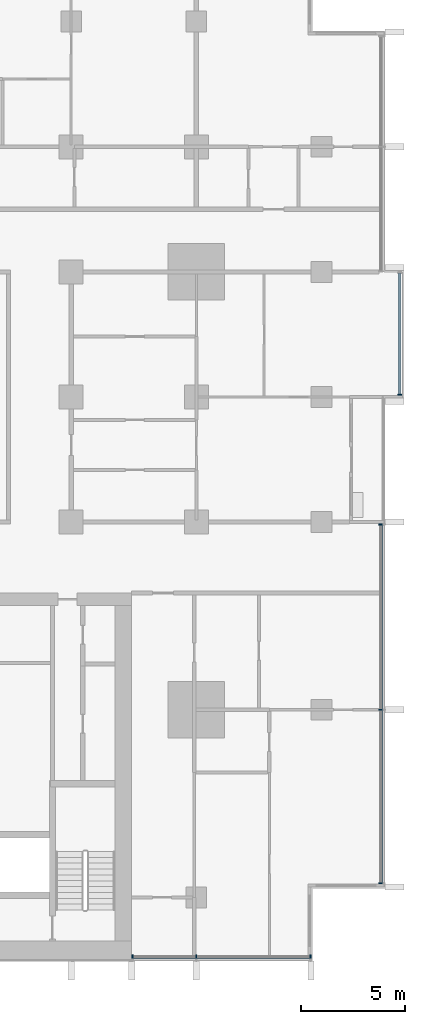
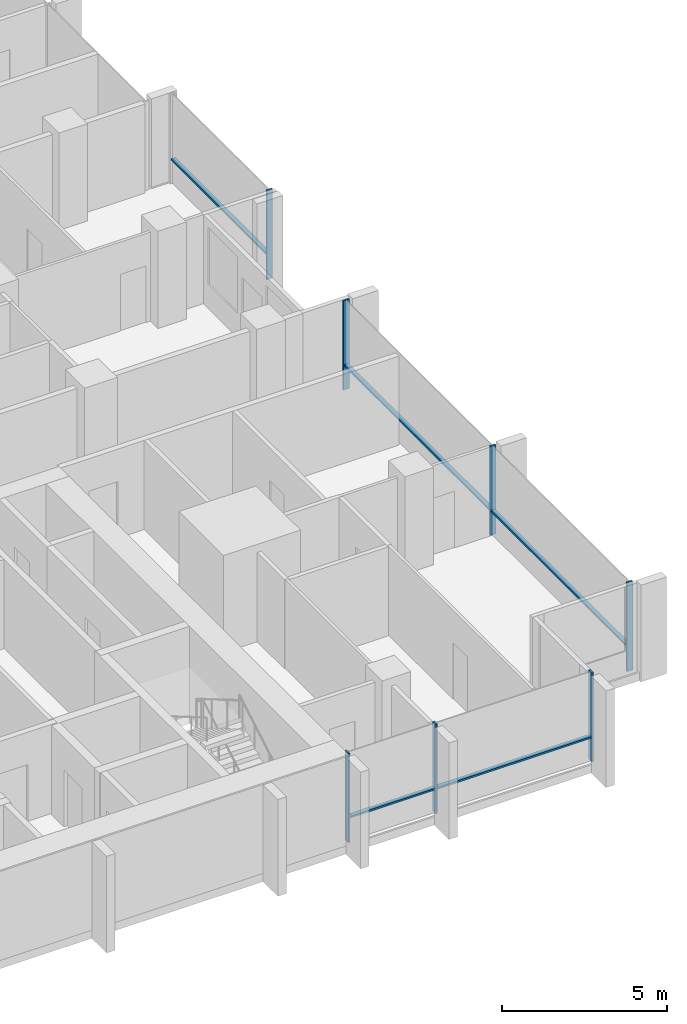
# One storey, part 3 of 18: 12 members, 3 elements without a shape of their own.
"""IFC4 building model written with IfcOpenShell, lengths in metres."""

from ifc_helpers import new_model, si_unit, direction, frame, origin, origin_2d, place, context, subcontext, project, spatial, rectangle, extrude, material, material_profile, profile_set, type_object, element, aggregate, save


model = new_model("IFC4")

# Units and contexts
model_context = context("Model", 3, precision=1e-05, world=origin(), true_north=direction((0.0, 1.0)))
body_context = subcontext(model_context, "Body", "Model", "MODEL_VIEW")
ifc_project = project(units=[si_unit("LENGTHUNIT", "METRE"), si_unit("AREAUNIT", "SQUARE_METRE"), si_unit("VOLUMEUNIT", "CUBIC_METRE"), si_unit("PLANEANGLEUNIT", "RADIAN"), si_unit("MASSUNIT", "GRAM", prefix="KILO")], contexts=[model_context])

# Site, building, storey
site_placement = place(None, origin())
site = spatial("IfcSite", under=ifc_project, at=site_placement, CompositionType="ELEMENT")
building_placement = place(site_placement, origin())
building = spatial("IfcBuilding", under=site, at=building_placement, Name="Finial Court Residences", CompositionType="ELEMENT")
storey_placement = place(building_placement, frame((0.0, 0.0, 84.699951171875)))
storey = spatial("IfcBuildingStorey", under=building, at=storey_placement, Name="L20", CompositionType="ELEMENT", Elevation=84.699951171875)

# Curtain wall, members
ifc_material = material(Name="Bronze anodised aluminium", Category="aluminium")
curtain_wall_type = type_object("IfcCurtainWallType", Name="Unitised curtain wall, lower and middle zones", PredefinedType="NOTDEFINED", material=ifc_material)
curtain_wall_1_placement = place(storey_placement, origin())
curtain_wall_1 = element("IfcCurtainWall", 1, at=curtain_wall_1_placement, inside=storey, type_object=curtain_wall_type, Name="E-L20-CW-E6", PredefinedType="NOTDEFINED")
ifc_material_profile_1 = material_profile(ifc_material, rectangle(XDim=0.199951171875, YDim=0.06494140625, at=origin_2d()), Name="CW1 mullion 65 x 200")
ifc_profile_set_1 = profile_set([ifc_material_profile_1], Name="Bronze anodised aluminium")
member_type_1 = type_object("IfcMemberType", Name="CW1 mullion 65 x 200", PredefinedType="MULLION", material=ifc_profile_set_1)
member_1_placement = place(storey_placement, frame((25.35009765625, -21.8173828125, 0.0), z_axis=(0.0, 0.0, 1.0), x_axis=(-1.0, 0.0, 0.0)))
member_1 = element("IfcMember", 2, at=member_1_placement, type_object=member_type_1, Name="CW1 mullion 1", PredefinedType="MULLION", context=body_context, shape_type="SweptSolid", body=[
    extrude(rectangle(XDim=0.199951171875, YDim=0.06494140625, at=origin_2d()), origin(), (0.0, 0.0, 1.0), 3.300048828125),
])
member_2_placement = place(storey_placement, frame((25.35009765625, -13.5, 0.0), z_axis=(0.0, 0.0, 1.0), x_axis=(-1.0, 0.0, 0.0)))
member_2 = element("IfcMember", 3, at=member_2_placement, type_object=member_type_1, Name="CW1 mullion 2", PredefinedType="MULLION", context=body_context, shape_type="SweptSolid", body=[
    extrude(rectangle(XDim=0.199951171875, YDim=0.06494140625, at=origin_2d()), origin(), (0.0, 0.0, 1.0), 3.300048828125),
])
member_3_placement = place(storey_placement, frame((25.35009765625, -4.607421875, 0.0), z_axis=(0.0, 0.0, 1.0), x_axis=(-1.0, 0.0, 0.0)))
member_3 = element("IfcMember", 4, at=member_3_placement, type_object=member_type_1, Name="CW1 mullion 3", PredefinedType="MULLION", context=body_context, shape_type="SweptSolid", body=[
    extrude(rectangle(XDim=0.199951171875, YDim=0.06494140625, at=origin_2d()), origin(), (0.0, 0.0, 1.0), 3.300048828125),
])

# Curtain wall, member
curtain_wall_2_placement = place(storey_placement, origin())
curtain_wall_2 = element("IfcCurtainWall", 5, at=curtain_wall_2_placement, inside=storey, type_object=curtain_wall_type, Name="E-L20-CW-E7", PredefinedType="NOTDEFINED")
member_4_placement = place(storey_placement, frame((26.25, 1.607421875, 0.0), z_axis=(0.0, 0.0, 1.0), x_axis=(-1.0, 0.0, 0.0)))
member_4 = element("IfcMember", 6, at=member_4_placement, type_object=member_type_1, Name="CW1 mullion 1", PredefinedType="MULLION", context=body_context, shape_type="SweptSolid", body=[
    extrude(rectangle(XDim=0.199951171875, YDim=0.06494140625, at=origin_2d()), origin(), (0.0, 0.0, 1.0), 3.300048828125),
])

# Curtain wall, members
curtain_wall_3_placement = place(storey_placement, origin())
curtain_wall_3 = element("IfcCurtainWall", 7, at=curtain_wall_3_placement, inside=storey, type_object=curtain_wall_type, Name="E-L20-CW-S10", PredefinedType="NOTDEFINED")
member_5_placement = place(storey_placement, frame((13.4326171875, -25.35009765625, 0.0), z_axis=(0.0, 0.0, 1.0), x_axis=(0.0, 1.0, 0.0)))
member_5 = element("IfcMember", 8, at=member_5_placement, type_object=member_type_1, Name="CW1 mullion 1", PredefinedType="MULLION", context=body_context, shape_type="SweptSolid", body=[
    extrude(rectangle(XDim=0.199951171875, YDim=0.06494140625, at=origin_2d()), origin(), (0.0, 0.0, 1.0), 3.300048828125),
])
member_6_placement = place(storey_placement, frame((16.5, -25.35009765625, 0.0), z_axis=(0.0, 0.0, 1.0), x_axis=(0.0, 1.0, 0.0)))
member_6 = element("IfcMember", 9, at=member_6_placement, type_object=member_type_1, Name="CW1 mullion 2", PredefinedType="MULLION", context=body_context, shape_type="SweptSolid", body=[
    extrude(rectangle(XDim=0.199951171875, YDim=0.06494140625, at=origin_2d()), origin(), (0.0, 0.0, 1.0), 3.300048828125),
])
member_7_placement = place(storey_placement, frame((21.967529296875, -25.35009765625, 0.0), z_axis=(0.0, 0.0, 1.0), x_axis=(0.0, 1.0, 0.0)))
member_7 = element("IfcMember", 10, at=member_7_placement, type_object=member_type_1, Name="CW1 mullion 3", PredefinedType="MULLION", context=body_context, shape_type="SweptSolid", body=[
    extrude(rectangle(XDim=0.199951171875, YDim=0.06494140625, at=origin_2d()), origin(), (0.0, 0.0, 1.0), 3.300048828125),
])

# Member
ifc_material_profile_2 = material_profile(ifc_material, rectangle(XDim=0.14990234375, YDim=0.06494140625, at=origin_2d()), Name="CW1 transom 65 x 150")
ifc_profile_set_2 = profile_set([ifc_material_profile_2], Name="Bronze anodised aluminium")
member_type_2 = type_object("IfcMemberType", Name="CW1 transom 65 x 150", PredefinedType="USERDEFINED", material=ifc_profile_set_2)
member_8_placement = place(storey_placement, frame((25.35009765625, -21.784912109375, 0.900146484375), z_axis=(0.0, 1.0, 0.0), x_axis=(-1.0, 0.0, 0.0)))
member_8 = element("IfcMember", 11, at=member_8_placement, type_object=member_type_2, Name="CW1 transom 1.1", ObjectType="TRANSOM", PredefinedType="USERDEFINED", context=body_context, shape_type="SweptSolid", body=[
    extrude(rectangle(XDim=0.14990234375, YDim=0.06494140625, at=origin_2d()), origin(), (0.0, 0.0, 1.0), 8.25244140625),
])

member_9_placement = place(storey_placement, frame((25.35009765625, -13.467529296875, 0.900146484375), z_axis=(0.0, 1.0, 0.0), x_axis=(-1.0, 0.0, 0.0)))
member_9 = element("IfcMember", 12, at=member_9_placement, type_object=member_type_2, Name="CW1 transom 2.1", ObjectType="TRANSOM", PredefinedType="USERDEFINED", context=body_context, shape_type="SweptSolid", body=[
    extrude(rectangle(XDim=0.14990234375, YDim=0.06494140625, at=origin_2d()), origin(), (0.0, 0.0, 1.0), 8.82763671875),
])

aggregate(curtain_wall_1, [member_1, member_2, member_3, member_8, member_9])

member_10_placement = place(storey_placement, frame((26.25, 1.639892578125, 0.900146484375), z_axis=(0.0, 1.0, 0.0), x_axis=(-1.0, 0.0, 0.0)))
member_10 = element("IfcMember", 13, at=member_10_placement, type_object=member_type_2, Name="CW1 transom 1.1", ObjectType="TRANSOM", PredefinedType="USERDEFINED", context=body_context, shape_type="SweptSolid", body=[
    extrude(rectangle(XDim=0.14990234375, YDim=0.06494140625, at=origin_2d()), origin(), (0.0, 0.0, 1.0), 5.795166015625),
])

aggregate(curtain_wall_2, [member_4, member_10])

member_11_placement = place(storey_placement, frame((13.465087890625, -25.35009765625, 0.900146484375), z_axis=(1.0, 0.0, 0.0), x_axis=(0.0, 1.0, 0.0)))
member_11 = element("IfcMember", 14, at=member_11_placement, type_object=member_type_2, Name="CW1 transom 1.1", ObjectType="TRANSOM", PredefinedType="USERDEFINED", context=body_context, shape_type="SweptSolid", body=[
    extrude(rectangle(XDim=0.14990234375, YDim=0.06494140625, at=origin_2d()), origin(), (0.0, 0.0, 1.0), 3.00244140625),
])

member_12_placement = place(storey_placement, frame((16.532470703125, -25.35009765625, 0.900146484375), z_axis=(1.0, 0.0, 0.0), x_axis=(0.0, 1.0, 0.0)))
member_12 = element("IfcMember", 15, at=member_12_placement, type_object=member_type_2, Name="CW1 transom 2.1", ObjectType="TRANSOM", PredefinedType="USERDEFINED", context=body_context, shape_type="SweptSolid", body=[
    extrude(rectangle(XDim=0.14990234375, YDim=0.06494140625, at=origin_2d()), origin(), (0.0, 0.0, 1.0), 5.402587890625),
])

aggregate(curtain_wall_3, [member_5, member_6, member_7, member_11, member_12])

save(model, "model.ifc")
